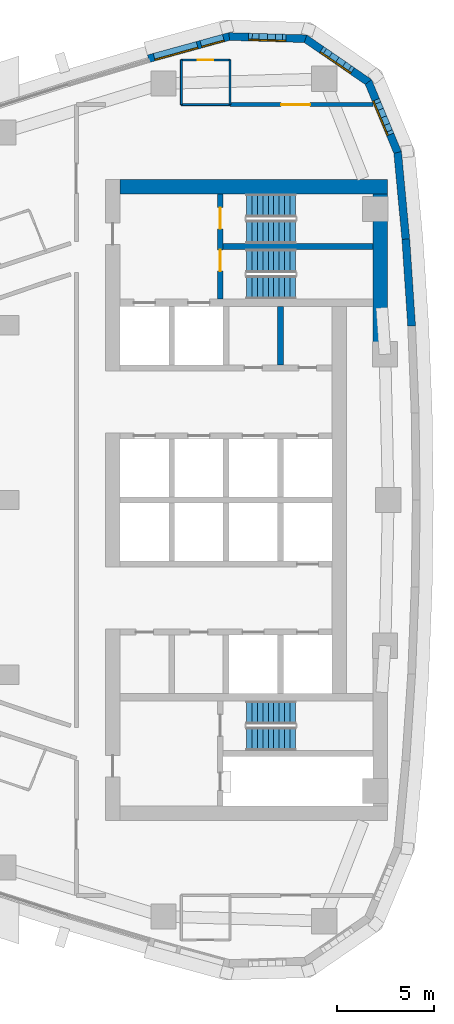
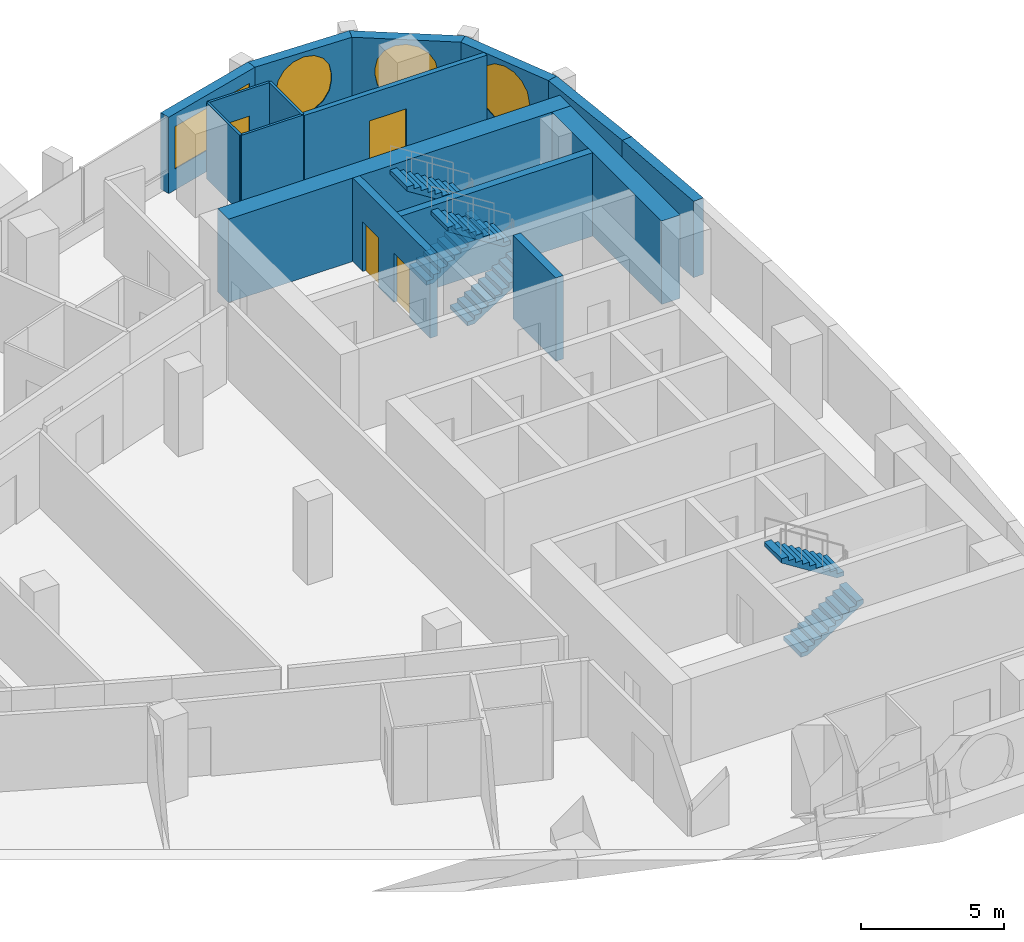
# One storey, part 12 of 16: 16 walls, 6 stair flights, 5 windows, 4 doors, 9 openings, 3 elements without a shape of their own.
"""IFC4 building model written with IfcOpenShell, lengths in metres."""

from ifc_helpers import new_model, si_unit, direction, frame, frame_2d, origin, place, context, subcontext, project, spatial, polyline, rectangle, outline, extrude, material, layer, layer_set, type_object, element, fill, aggregate, save


model = new_model("IFC4")

# Units and contexts
model_context = context("Model", 3, precision=1e-05, world=origin(), true_north=direction((0.0, 1.0)))
body_context = subcontext(model_context, "Body", "Model", "MODEL_VIEW")
ifc_project = project(units=[si_unit("LENGTHUNIT", "METRE"), si_unit("AREAUNIT", "SQUARE_METRE"), si_unit("VOLUMEUNIT", "CUBIC_METRE"), si_unit("PLANEANGLEUNIT", "RADIAN"), si_unit("MASSUNIT", "GRAM", prefix="KILO")], contexts=[model_context])

# Site, building, storey
site_placement = place(None, origin())
site = spatial("IfcSite", under=ifc_project, at=site_placement, CompositionType="ELEMENT")
building_placement = place(site_placement, origin())
building = spatial("IfcBuilding", under=site, at=building_placement, Name="Ostrand Prow Hotel Tower", CompositionType="ELEMENT")
storey_placement = place(building_placement, frame((0.0, 0.0, 186.14990234375)))
storey = spatial("IfcBuildingStorey", under=building, at=storey_placement, Name="L46", CompositionType="ELEMENT", Elevation=186.14990234375)

# Wall
ifc_material_1 = material(Name="Concrete C60/75", Category="concrete")
ifc_layer_1 = layer(ifc_material_1, 0.300048828125)
ifc_layer_set_1 = layer_set([ifc_layer_1], Name="Concrete C60/75")
wall_type_1 = type_object("IfcWallType", Name="Core wall 300 C60/75", PredefinedType="SHEAR", material=ifc_layer_set_1)
wall_1_placement = place(storey_placement, frame((58.949951171875, 6.949951171875, 0.0), z_axis=(0.0, 0.0, 1.0), x_axis=(0.0, 1.0, 0.0)))
element("IfcWall", 1, at=wall_1_placement, inside=storey, type_object=wall_type_1, Name="Core wall PW-R3-NA", PredefinedType="SHEAR", context=body_context, shape_type="SweptSolid", body=[
    extrude(rectangle(XDim=3.0, YDim=0.300048828125, at=frame_2d((1.5, 0.0))), origin(), (0.0, 0.0, 1.0), 3.550048828125),
])

# Wall, openings, doors
wall_2_placement = place(storey_placement, frame((55.85009765625, 10.35009765625, 0.0), z_axis=(0.0, 0.0, 1.0), x_axis=(0.0, 1.0, 0.0)))
wall_2 = element("IfcWall", 2, at=wall_2_placement, inside=storey, type_object=wall_type_1, Name="Core wall PW-VN", PredefinedType="SHEAR", context=body_context, shape_type="SweptSolid", body=[
    extrude(rectangle(XDim=5.39990234375, YDim=0.300048828125, at=frame_2d((2.699951171875, 0.0))), origin(), (0.0, 0.0, 1.0), 3.550048828125),
])
opening_1_placement = place(wall_2_placement, frame((1.429931640625, 0.0, 0.0)))
opening_1 = element("IfcOpeningElement", 3, at=opening_1_placement, cuts=wall_2, Name="Opening FD1", PredefinedType="OPENING", context=body_context, shape_type="SweptSolid", body=[
    extrude(rectangle(XDim=1.10009765625, YDim=2.10009765625, at=frame_2d((0.550048828125, 1.050048828125))), frame((0.0, 0.159912109375, 0.0), z_axis=(0.0, -1.0, 0.0), x_axis=(1.0, 0.0, 0.0)), (0.0, 0.0, 1.0), 0.320068359375),
])
opening_2_placement = place(wall_2_placement, frame((3.60009765625, 0.0, 0.0)))
opening_2 = element("IfcOpeningElement", 4, at=opening_2_placement, cuts=wall_2, Name="Opening FD1", PredefinedType="OPENING", context=body_context, shape_type="SweptSolid", body=[
    extrude(rectangle(XDim=1.10009765625, YDim=2.10009765625, at=frame_2d((0.550048828125, 1.050048828125))), frame((0.0, 0.159912109375, 0.0), z_axis=(0.0, -1.0, 0.0), x_axis=(1.0, 0.0, 0.0)), (0.0, 0.0, 1.0), 0.320068359375),
])
ifc_material_2 = material(Name="Steel fire door", Category="steel")
door_type_1 = type_object("IfcDoorType", Name="Fire door 1100 EI120", OperationType="SINGLE_SWING_RIGHT", PredefinedType="DOOR", material=ifc_material_2)
door_1_placement = place(opening_1_placement, origin())
door_1 = element("IfcDoor", 5, at=door_1_placement, inside=storey, type_object=door_type_1, Name="FIRE DOOR", OperationType="SINGLE_SWING_RIGHT", OverallHeight=2.10009765625, OverallWidth=1.10009765625, PredefinedType="DOOR", context=body_context, shape_type="SweptSolid", body=[
    extrude(rectangle(XDim=1.10009765625, YDim=2.10009765625, at=frame_2d((0.550048828125, 1.050048828125))), frame((0.0, 0.02490234375, 0.0), z_axis=(0.0, -1.0, 0.0), x_axis=(1.0, 0.0, 0.0)), (0.0, 0.0, 1.0), 0.050048828125),
])
fill(opening_1, door_1)
door_2_placement = place(opening_2_placement, origin())
door_2 = element("IfcDoor", 6, at=door_2_placement, inside=storey, type_object=door_type_1, Name="FIRE DOOR", OperationType="SINGLE_SWING_RIGHT", OverallHeight=2.10009765625, OverallWidth=1.10009765625, PredefinedType="DOOR", context=body_context, shape_type="SweptSolid", body=[
    extrude(rectangle(XDim=1.10009765625, YDim=2.10009765625, at=frame_2d((0.550048828125, 1.050048828125))), frame((0.0, 0.02490234375, 0.0), z_axis=(0.0, -1.0, 0.0), x_axis=(1.0, 0.0, 0.0)), (0.0, 0.0, 1.0), 0.050048828125),
])
fill(opening_2, door_2)

# Walls
wall_3_placement = place(storey_placement, frame((56.0, 13.050048828125, 0.0), z_axis=(0.0, 0.0, 1.0), x_axis=(1.0, 0.0, 0.0)))
element("IfcWall", 7, at=wall_3_placement, inside=storey, type_object=wall_type_1, Name="Core wall PW-ST13", PredefinedType="SHEAR", context=body_context, shape_type="SweptSolid", body=[
    extrude(rectangle(XDim=7.719970703125, YDim=0.300048828125, at=frame_2d((3.85986328125, 0.0))), origin(), (0.0, 0.0, 1.0), 3.550048828125),
])
ifc_material_3 = material(Name="Concrete C60/75", Category="concrete")
ifc_layer_2 = layer(ifc_material_3, 0.75)
ifc_layer_set_2 = layer_set([ifc_layer_2], Name="Concrete C60/75")
wall_type_2 = type_object("IfcWallType", Name="Core wall 750 C60/75", PredefinedType="SHEAR", material=ifc_layer_set_2)
wall_4_placement = place(storey_placement, frame((50.699951171875, 16.125, 0.0), z_axis=(0.0, 0.0, 1.0), x_axis=(1.0, 0.0, 0.0)))
element("IfcWall", 8, at=wall_4_placement, inside=storey, type_object=wall_type_2, Name="Core wall CW-N", PredefinedType="SHEAR", context=body_context, shape_type="SweptSolid", body=[
    extrude(rectangle(XDim=13.77001953125, YDim=0.75, at=frame_2d((6.885009765625, 0.0))), origin(), (0.0, 0.0, 1.0), 3.550048828125),
])
wall_5_placement = place(storey_placement, frame((64.094970703125, 8.09912109375, 0.0), z_axis=(0.0, 0.0, 1.0), x_axis=(0.0, 1.0, 0.0)))
element("IfcWall", 9, at=wall_5_placement, inside=storey, type_object=wall_type_2, Name="Core wall CW-E-N", PredefinedType="SHEAR", context=body_context, shape_type="SweptSolid", body=[
    extrude(rectangle(XDim=7.65087890625, YDim=0.75, at=frame_2d((3.825439453125, 0.0))), origin(), (0.0, 0.0, 1.0), 3.550048828125),
])

# Wall, opening, door
ifc_material_4 = material(Name="Plasterboard partition")
ifc_layer_3 = layer(ifc_material_4, 0.10009765625)
ifc_layer_set_3 = layer_set([ifc_layer_3], Name="Plasterboard partition")
wall_type_3 = type_object("IfcWallType", Name="Partition 100 bathroom wall", PredefinedType="PARTITIONING", material=ifc_layer_set_3)
wall_6_placement = place(storey_placement, frame((53.85009765625, 22.64990234375, 0.0), z_axis=(0.0, 0.0, 1.0), x_axis=(1.0, 0.0, 0.0)))
wall_6 = element("IfcWall", 10, at=wall_6_placement, inside=storey, type_object=wall_type_3, Name="BATHROOM WALL", PredefinedType="PARTITIONING", context=body_context, shape_type="SweptSolid", body=[
    extrude(rectangle(XDim=2.5, YDim=0.10009765625, at=frame_2d((1.25, 0.0))), origin(), (0.0, 0.0, 1.0), 3.25),
])
opening_3_placement = place(wall_6_placement, frame((0.85009765625, 0.0, 0.0)))
opening_3 = element("IfcOpeningElement", 11, at=opening_3_placement, cuts=wall_6, Name="Opening D2", PredefinedType="OPENING", context=body_context, shape_type="SweptSolid", body=[
    extrude(rectangle(XDim=0.800048828125, YDim=2.10009765625, at=frame_2d((0.39990234375, 1.050048828125))), frame((0.0, 0.06005859375, 0.0), z_axis=(0.0, -1.0, 0.0), x_axis=(1.0, 0.0, 0.0)), (0.0, 0.0, 1.0), 0.1201171875),
])
ifc_material_5 = material(Name="Timber door leaf", Category="wood")
door_type_2 = type_object("IfcDoorType", Name="Bathroom door 800", OperationType="SINGLE_SWING_LEFT", PredefinedType="DOOR", material=ifc_material_5)
door_3_placement = place(opening_3_placement, origin())
door_3 = element("IfcDoor", 12, at=door_3_placement, inside=storey, type_object=door_type_2, Name="DOOR", OperationType="SINGLE_SWING_LEFT", OverallHeight=2.10009765625, OverallWidth=0.800048828125, PredefinedType="DOOR", context=body_context, shape_type="SweptSolid", body=[
    extrude(rectangle(XDim=0.800048828125, YDim=2.10009765625, at=frame_2d((0.39990234375, 1.050048828125))), frame((0.0, 0.02490234375, 0.0), z_axis=(0.0, -1.0, 0.0), x_axis=(1.0, 0.0, 0.0)), (0.0, 0.0, 1.0), 0.050048828125),
])
fill(opening_3, door_3)

# Walls
for number, where, z_axis, x_axis, name in (
    (13, (56.35009765625, 22.64990234375, 0.0), (0.0, 0.0, 1.0), (0.0, -1.0, 0.0), "BATHROOM WALL"),
    (14, (53.85009765625, 20.35009765625, 0.0), (0.0, 0.0, 1.0), (0.0, 1.0, 0.0), "BATHROOM WALL"),
):
    element("IfcWall", number, at=place(storey_placement, frame(where, z_axis=z_axis, x_axis=x_axis)), inside=storey, type_object=wall_type_3, Name=name, PredefinedType="PARTITIONING", context=body_context, shape_type="SweptSolid", body=[
        extrude(rectangle(XDim=2.2998046875, YDim=0.10009765625, at=frame_2d((1.14990234375, 0.0))), origin(), (0.0, 0.0, 1.0), 3.25),
    ])
wall_7_placement = place(storey_placement, frame((56.35009765625, 20.35498046875, 0.0), z_axis=(0.0, 0.0, 1.0), x_axis=(-1.0, 0.0, 0.0)))
element("IfcWall", 15, at=wall_7_placement, inside=storey, type_object=wall_type_3, Name="BATHROOM WALL", PredefinedType="PARTITIONING", context=body_context, shape_type="SweptSolid", body=[
    extrude(rectangle(XDim=2.5, YDim=0.10009765625, at=frame_2d((1.25, 0.0))), origin(), (0.0, 0.0, 1.0), 3.25),
])

# Wall, opening, door
ifc_material_6 = material(Name="Plasterboard partition")
ifc_layer_4 = layer(ifc_material_6, 0.199951171875)
ifc_layer_set_4 = layer_set([ifc_layer_4], Name="Plasterboard partition")
wall_type_4 = type_object("IfcWallType", Name="Partition 200 corridor wall", PredefinedType="PARTITIONING", material=ifc_layer_set_4)
wall_8_placement = place(storey_placement, frame((63.70947265625, 20.35498046875, 0.0), z_axis=(0.0, 0.0, 1.0), x_axis=(-1.0, 0.0, 0.0)))
wall_8 = element("IfcWall", 16, at=wall_8_placement, inside=storey, type_object=wall_type_4, Name="CORRIDOR WALL", PredefinedType="PARTITIONING", context=body_context, shape_type="SweptSolid", body=[
    extrude(rectangle(XDim=7.3544921875, YDim=0.199951171875, at=frame_2d((3.67724609375, 0.0))), origin(), (0.0, 0.0, 1.0), 3.25),
])
opening_4_placement = place(wall_8_placement, frame((3.230712890625, 0.0, 0.0)))
opening_4 = element("IfcOpeningElement", 17, at=opening_4_placement, cuts=wall_8, Name="Opening D15", PredefinedType="OPENING", context=body_context, shape_type="SweptSolid", body=[
    extrude(rectangle(XDim=1.5, YDim=2.10009765625, at=frame_2d((0.75, 1.050048828125))), frame((0.0, 0.10986328125, 0.0), z_axis=(0.0, -1.0, 0.0), x_axis=(1.0, 0.0, 0.0)), (0.0, 0.0, 1.0), 0.219970703125),
])
ifc_material_7 = material(Name="Timber door leaf", Category="wood")
door_type_3 = type_object("IfcDoorType", Name="Double door 1500", OperationType="DOUBLE_DOOR_SINGLE_SWING", PredefinedType="DOOR", material=ifc_material_7)
door_4_placement = place(opening_4_placement, origin())
door_4 = element("IfcDoor", 18, at=door_4_placement, inside=storey, type_object=door_type_3, Name="DOOR", OperationType="DOUBLE_DOOR_SINGLE_SWING", OverallHeight=2.10009765625, OverallWidth=1.5, PredefinedType="DOOR", context=body_context, shape_type="SweptSolid", body=[
    extrude(rectangle(XDim=1.5, YDim=2.10009765625, at=frame_2d((0.75, 1.050048828125))), frame((0.0, 0.02490234375, 0.0), z_axis=(0.0, -1.0, 0.0), x_axis=(1.0, 0.0, 0.0)), (0.0, 0.0, 1.0), 0.050048828125),
])
fill(opening_4, door_4)

# Walls
ifc_material_8 = material(Name="Precast concrete C40/50", Category="concrete")
ifc_layer_5 = layer(ifc_material_8, 0.39990234375)
ifc_layer_set_5 = layer_set([ifc_layer_5], Name="Precast concrete C40/50")
wall_type_5 = type_object("IfcWallType", Name="Stone-faced precast wall 400 mm", PredefinedType="NOTDEFINED", material=ifc_layer_set_5)
wall_9_placement = place(storey_placement, frame((65.700439453125, 8.957763671875, 0.0), z_axis=(0.0, 0.0, 1.0), x_axis=(-0.066905935948, 0.997759287471, 0.0)))
element("IfcWall", 19, at=wall_9_placement, inside=storey, type_object=wall_type_5, Name="Stone-faced wall back 11", PredefinedType="NOTDEFINED", context=body_context, shape_type="SweptSolid", body=[
    extrude(outline(polyline([(-0.002685546875, -0.199951171875), (4.483642578125, -0.199951171875), (4.478271484375, 0.199951171875), (0.002685546875, 0.199951171875), (-0.002685546875, -0.199951171875)])), origin(), (0.0, 0.0, 1.0), 3.25),
])
wall_10_placement = place(storey_placement, frame((65.400634765625, 13.4287109375, 0.0), z_axis=(0.0, 0.0, 1.0), x_axis=(-0.093605694738, 0.995609348044, 0.0)))
element("IfcWall", 20, at=wall_10_placement, inside=storey, type_object=wall_type_5, Name="Stone-faced wall back 12", PredefinedType="NOTDEFINED", context=body_context, shape_type="SweptSolid", body=[
    extrude(outline(polyline([(-0.002685546875, -0.199951171875), (4.51123046875, -0.199951171875), (4.45068359375, 0.199951171875), (0.002685546875, 0.199951171875), (-0.002685546875, -0.199951171875)])), origin(), (0.0, 0.0, 1.0), 3.25),
])

# Wall, opening, window
wall_11_placement = place(storey_placement, frame((64.981201171875, 17.889892578125, 0.0), z_axis=(0.0, 0.0, 1.0), x_axis=(-0.383997619794, 0.923334082547, 0.0)))
wall_11 = element("IfcWall", 21, at=wall_11_placement, inside=storey, type_object=wall_type_5, Name="Stone-faced wall back 13", PredefinedType="NOTDEFINED", context=body_context, shape_type="SweptSolid", body=[
    extrude(outline(polyline([(-0.0302734375, -0.199951171875), (3.98828125, -0.199951171875), (3.8701171875, 0.199951171875), (0.0302734375, 0.199951171875), (-0.0302734375, -0.199951171875)])), origin(), (0.0, 0.0, 1.0), 3.25),
])
opening_5_placement = place(wall_11_placement, frame((0.864501953125, 0.0, 0.60009765625)))
opening_5 = element("IfcOpeningElement", 22, at=opening_5_placement, cuts=wall_11, Name="Opening WP1", PredefinedType="OPENING", context=body_context, shape_type="SweptSolid", body=[
    extrude(outline(polyline([(0.0, 1.35009765625), (0.083740234375, 1.77099609375), (0.322265625, 2.127685546875), (0.678955078125, 2.3662109375), (1.10009765625, 2.449951171875), (1.52099609375, 2.3662109375), (1.877685546875, 2.127685546875), (2.1162109375, 1.77099609375), (2.199951171875, 1.35009765625), (2.199951171875, 1.10009765625), (2.1162109375, 0.678955078125), (1.877685546875, 0.322265625), (1.52099609375, 0.083740234375), (1.10009765625, 0.0), (0.678955078125, 0.083740234375), (0.322265625, 0.322265625), (0.083740234375, 0.678955078125), (0.0, 1.099853515625), (0.0, 1.35009765625)])), frame((0.0, 0.2099609375, 0.0), z_axis=(0.0, -1.0, 0.0), x_axis=(1.0, 0.0, 0.0)), (0.0, 0.0, 1.0), 0.419921875),
])
ifc_material_9 = material(Name="Insulated glass in bronze frame", Category="glass")
window_type_1 = type_object("IfcWindowType", Name="Round-ended prow window 2200x2450", PartitioningType="SINGLE_PANEL", PredefinedType="WINDOW", material=ifc_material_9)
window_1_placement = place(opening_5_placement, origin())
window_1 = element("IfcWindow", 23, at=window_1_placement, inside=storey, type_object=window_type_1, Name="Window back 13.1", OverallHeight=2.449951171875, OverallWidth=2.199951171875, PartitioningType="SINGLE_PANEL", PredefinedType="WINDOW", context=body_context, shape_type="SweptSolid", body=[
    extrude(outline(polyline([(0.0, 1.35009765625), (0.083740234375, 1.77099609375), (0.322265625, 2.127685546875), (0.678955078125, 2.3662109375), (1.10009765625, 2.449951171875), (1.52099609375, 2.3662109375), (1.877685546875, 2.127685546875), (2.1162109375, 1.77099609375), (2.199951171875, 1.35009765625), (2.199951171875, 1.10009765625), (2.1162109375, 0.678955078125), (1.877685546875, 0.322265625), (1.52099609375, 0.083740234375), (1.10009765625, 0.0), (0.678955078125, 0.083740234375), (0.322265625, 0.322265625), (0.083740234375, 0.678955078125), (0.0, 1.099853515625), (0.0, 1.35009765625)])), frame((0.0, 0.169921875, 0.0), z_axis=(0.0, -1.0, 0.0), x_axis=(1.0, 0.0, 0.0)), (0.0, 0.0, 1.0), 0.06005859375),
])
fill(opening_5, window_1)

wall_12_placement = place(storey_placement, frame((63.472412109375, 21.517822265625, 0.0), z_axis=(0.0, 0.0, 1.0), x_axis=(-0.823806162588, 0.566871596115, 0.0)))
wall_12 = element("IfcWall", 24, at=wall_12_placement, inside=storey, type_object=wall_type_5, Name="Stone-faced wall back 14", PredefinedType="NOTDEFINED", context=body_context, shape_type="SweptSolid", body=[
    extrude(outline(polyline([(-0.05908203125, -0.199951171875), (3.98828125, -0.199951171875), (3.8701171875, 0.199951171875), (0.05908203125, 0.199951171875), (-0.05908203125, -0.199951171875)])), origin(), (0.0, 0.0, 1.0), 3.25),
])
opening_6_placement = place(wall_12_placement, frame((0.864501953125, 0.0, 0.60009765625)))
opening_6 = element("IfcOpeningElement", 25, at=opening_6_placement, cuts=wall_12, Name="Opening WP1", PredefinedType="OPENING", context=body_context, shape_type="SweptSolid", body=[
    extrude(outline(polyline([(0.0, 1.35009765625), (0.083740234375, 1.77099609375), (0.322265625, 2.127685546875), (0.678955078125, 2.3662109375), (1.10009765625, 2.449951171875), (1.52099609375, 2.3662109375), (1.877685546875, 2.127685546875), (2.1162109375, 1.77099609375), (2.199951171875, 1.35009765625), (2.199951171875, 1.10009765625), (2.1162109375, 0.678955078125), (1.877685546875, 0.322265625), (1.52099609375, 0.083740234375), (1.10009765625, 0.0), (0.678955078125, 0.083740234375), (0.322265625, 0.322265625), (0.083740234375, 0.678955078125), (0.0, 1.099853515625), (0.0, 1.35009765625)])), frame((0.0, 0.2099609375, 0.0), z_axis=(0.0, -1.0, 0.0), x_axis=(1.0, 0.0, 0.0)), (0.0, 0.0, 1.0), 0.419921875),
])
window_2_placement = place(opening_6_placement, origin())
window_2 = element("IfcWindow", 26, at=window_2_placement, inside=storey, type_object=window_type_1, Name="Window back 14.1", OverallHeight=2.449951171875, OverallWidth=2.199951171875, PartitioningType="SINGLE_PANEL", PredefinedType="WINDOW", context=body_context, shape_type="SweptSolid", body=[
    extrude(outline(polyline([(0.0, 1.35009765625), (0.083740234375, 1.77099609375), (0.322265625, 2.127685546875), (0.678955078125, 2.3662109375), (1.10009765625, 2.449951171875), (1.52099609375, 2.3662109375), (1.877685546875, 2.127685546875), (2.1162109375, 1.77099609375), (2.199951171875, 1.35009765625), (2.199951171875, 1.10009765625), (2.1162109375, 0.678955078125), (1.877685546875, 0.322265625), (1.52099609375, 0.083740234375), (1.10009765625, 0.0), (0.678955078125, 0.083740234375), (0.322265625, 0.322265625), (0.083740234375, 0.678955078125), (0.0, 1.099853515625), (0.0, 1.35009765625)])), frame((0.0, 0.169921875, 0.0), z_axis=(0.0, -1.0, 0.0), x_axis=(1.0, 0.0, 0.0)), (0.0, 0.0, 1.0), 0.06005859375),
])
fill(opening_6, window_2)

wall_13_placement = place(storey_placement, frame((60.235595703125, 23.7451171875, 0.0), z_axis=(0.0, 0.0, 1.0), x_axis=(-0.999587920197, 0.028705222472, 0.0)))
wall_13 = element("IfcWall", 27, at=wall_13_placement, inside=storey, type_object=wall_type_5, Name="Stone-faced wall back 15", PredefinedType="NOTDEFINED", context=body_context, shape_type="SweptSolid", body=[
    extrude(outline(polyline([(-0.05908203125, -0.199951171875), (3.959228515625, -0.199951171875), (3.899658203125, 0.199951171875), (0.05908203125, 0.199951171875), (-0.05908203125, -0.199951171875)])), origin(), (0.0, 0.0, 1.0), 3.25),
])
opening_7_placement = place(wall_13_placement, frame((0.864501953125, 0.0, 0.60009765625)))
opening_7 = element("IfcOpeningElement", 28, at=opening_7_placement, cuts=wall_13, Name="Opening WP1", PredefinedType="OPENING", context=body_context, shape_type="SweptSolid", body=[
    extrude(outline(polyline([(0.0, 1.35009765625), (0.083740234375, 1.77099609375), (0.322265625, 2.127685546875), (0.678955078125, 2.3662109375), (1.10009765625, 2.449951171875), (1.52099609375, 2.3662109375), (1.877685546875, 2.127685546875), (2.1162109375, 1.77099609375), (2.199951171875, 1.35009765625), (2.199951171875, 1.10009765625), (2.1162109375, 0.678955078125), (1.877685546875, 0.322265625), (1.52099609375, 0.083740234375), (1.10009765625, 0.0), (0.678955078125, 0.083740234375), (0.322265625, 0.322265625), (0.083740234375, 0.678955078125), (0.0, 1.099853515625), (0.0, 1.35009765625)])), frame((0.0, 0.2099609375, 0.0), z_axis=(0.0, -1.0, 0.0), x_axis=(1.0, 0.0, 0.0)), (0.0, 0.0, 1.0), 0.419921875),
])
window_3_placement = place(opening_7_placement, origin())
window_3 = element("IfcWindow", 29, at=window_3_placement, inside=storey, type_object=window_type_1, Name="Window back 15.1", OverallHeight=2.449951171875, OverallWidth=2.199951171875, PartitioningType="SINGLE_PANEL", PredefinedType="WINDOW", context=body_context, shape_type="SweptSolid", body=[
    extrude(outline(polyline([(0.0, 1.35009765625), (0.083740234375, 1.77099609375), (0.322265625, 2.127685546875), (0.678955078125, 2.3662109375), (1.10009765625, 2.449951171875), (1.52099609375, 2.3662109375), (1.877685546875, 2.127685546875), (2.1162109375, 1.77099609375), (2.199951171875, 1.35009765625), (2.199951171875, 1.10009765625), (2.1162109375, 0.678955078125), (1.877685546875, 0.322265625), (1.52099609375, 0.083740234375), (1.10009765625, 0.0), (0.678955078125, 0.083740234375), (0.322265625, 0.322265625), (0.083740234375, 0.678955078125), (0.0, 1.099853515625), (0.0, 1.35009765625)])), frame((0.0, 0.169921875, 0.0), z_axis=(0.0, -1.0, 0.0), x_axis=(1.0, 0.0, 0.0)), (0.0, 0.0, 1.0), 0.06005859375),
])
fill(opening_7, window_3)

# Wall, openings, windows
wall_14_placement = place(storey_placement, frame((56.307861328125, 23.85791015625, 0.0), z_axis=(0.0, 0.0, 1.0), x_axis=(-0.964205755089, -0.265155165617, 0.0)))
wall_14 = element("IfcWall", 30, at=wall_14_placement, inside=storey, type_object=wall_type_5, Name="Stone-faced wall back 16", PredefinedType="NOTDEFINED", context=body_context, shape_type="SweptSolid", body=[
    extrude(outline(polyline([(-0.02978515625, -0.199951171875), (4.30712890625, -0.199951171875), (4.30712890625, 0.199951171875), (0.02978515625, 0.199951171875), (-0.02978515625, -0.199951171875)])), origin(), (0.0, 0.0, 1.0), 3.25),
])
opening_8_placement = place(wall_14_placement, frame((0.303466796875, 0.0, 0.89990234375)))
opening_8 = element("IfcOpeningElement", 31, at=opening_8_placement, cuts=wall_14, Name="Opening WS4", PredefinedType="OPENING", context=body_context, shape_type="SweptSolid", body=[
    extrude(rectangle(XDim=1.199951171875, YDim=1.800048828125, at=frame_2d((0.60009765625, 0.89990234375))), frame((0.0, 0.2099609375, 0.0), z_axis=(0.0, -1.0, 0.0), x_axis=(1.0, 0.0, 0.0)), (0.0, 0.0, 1.0), 0.419921875),
])
opening_9_placement = place(wall_14_placement, frame((1.70361328125, 0.0, 0.89990234375)))
opening_9 = element("IfcOpeningElement", 32, at=opening_9_placement, cuts=wall_14, Name="Opening WS5-23", PredefinedType="OPENING", context=body_context, shape_type="SweptSolid", body=[
    extrude(rectangle(XDim=2.300048828125, YDim=1.800048828125, at=frame_2d((1.14990234375, 0.89990234375))), frame((0.0, 0.2099609375, 0.0), z_axis=(0.0, -1.0, 0.0), x_axis=(1.0, 0.0, 0.0)), (0.0, 0.0, 1.0), 0.419921875),
])
ifc_material_10 = material(Name="Insulated glass in bronze frame", Category="glass")
window_type_2 = type_object("IfcWindowType", Name="Fixed strip window 2300x1800", PartitioningType="SINGLE_PANEL", PredefinedType="WINDOW", material=ifc_material_10)
window_4_placement = place(opening_9_placement, origin())
window_4 = element("IfcWindow", 33, at=window_4_placement, inside=storey, type_object=window_type_2, Name="Window back 16.2", OverallHeight=1.800048828125, OverallWidth=2.300048828125, PartitioningType="SINGLE_PANEL", PredefinedType="WINDOW", context=body_context, shape_type="SweptSolid", body=[
    extrude(rectangle(XDim=2.300048828125, YDim=1.800048828125, at=frame_2d((1.14990234375, 0.89990234375))), frame((0.0, 0.169921875, 0.0), z_axis=(0.0, -1.0, 0.0), x_axis=(1.0, 0.0, 0.0)), (0.0, 0.0, 1.0), 0.06005859375),
])
fill(opening_9, window_4)
ifc_material_11 = material(Name="Insulated glass in bronze frame", Category="glass")
window_type_3 = type_object("IfcWindowType", Name="Operable strip panel 1200x1800", PartitioningType="SINGLE_PANEL", PredefinedType="WINDOW", material=ifc_material_11)
window_5_placement = place(opening_8_placement, origin())
window_5 = element("IfcWindow", 34, at=window_5_placement, inside=storey, type_object=window_type_3, Name="Window back 16.1", OverallHeight=1.800048828125, OverallWidth=1.199951171875, PartitioningType="SINGLE_PANEL", PredefinedType="WINDOW", context=body_context, shape_type="SweptSolid", body=[
    extrude(rectangle(XDim=1.199951171875, YDim=1.800048828125, at=frame_2d((0.60009765625, 0.89990234375))), frame((0.0, 0.169921875, 0.0), z_axis=(0.0, -1.0, 0.0), x_axis=(1.0, 0.0, 0.0)), (0.0, 0.0, 1.0), 0.06005859375),
])
fill(opening_8, window_5)

# Stair, stair flights
ifc_material_12 = material(Name="Concrete C40/50", Category="concrete")
stair_type = type_object("IfcStairType", Name="Exit stair 1200 upper zone", PredefinedType="HALF_TURN_STAIR", material=ifc_material_12)
stair_1_placement = place(storey_placement, origin())
stair_1 = element("IfcStair", 35, at=stair_1_placement, inside=storey, type_object=stair_type, Name="L46 ST1C", PredefinedType="HALF_TURN_STAIR")
ifc_material_13 = material(Name="Concrete C40/50", Category="concrete")
stair_flight_type = type_object("IfcStairFlightType", Name="Stair flight 1200 concrete", PredefinedType="STRAIGHT", material=ifc_material_13)
stair_flight_1_placement = place(storey_placement, frame((57.199951171875, 10.949951171875, 0.0), z_axis=(0.0, 0.0, 1.0), x_axis=(1.0, 0.0, 0.0)))
stair_flight_1 = element("IfcStairFlight", 36, at=stair_flight_1_placement, type_object=stair_flight_type, Name="ST1C flight 1", NumberOfRisers=10, NumberOfTreads=9, PredefinedType="STRAIGHT", RiserHeight=0.1775, TreadLength=0.28, context=body_context, shape_type="SweptSolid", body=[
    extrude(outline(polyline([(0.0, 0.0), (0.0, 0.177490234375), (0.280029296875, 0.177490234375), (0.280029296875, 0.35498046875), (0.56005859375, 0.35498046875), (0.56005859375, 0.532470703125), (0.840087890625, 0.532470703125), (0.840087890625, 0.7099609375), (1.1201171875, 0.7099609375), (1.1201171875, 0.887451171875), (1.39990234375, 0.887451171875), (1.39990234375, 1.06494140625), (1.679931640625, 1.06494140625), (1.679931640625, 1.242431640625), (1.9599609375, 1.242431640625), (1.9599609375, 1.419921875), (2.239990234375, 1.419921875), (2.239990234375, 1.597412109375), (2.52001953125, 1.597412109375), (2.52001953125, 1.77490234375), (2.52001953125, 1.419921875), (0.280029296875, 0.0), (0.0, 0.0)])), frame((0.0, 0.60009765625, 0.0), z_axis=(0.0, -1.0, 0.0), x_axis=(1.0, 0.0, 0.0)), (0.0, 0.0, 1.0), 1.199951171875),
])
stair_flight_2_placement = place(storey_placement, frame((59.719970703125, 12.300048828125, 1.775146484375), z_axis=(0.0, 0.0, 1.0), x_axis=(-1.0, 0.0, 0.0)))
stair_flight_2 = element("IfcStairFlight", 37, at=stair_flight_2_placement, type_object=stair_flight_type, Name="ST1C flight 2", NumberOfRisers=10, NumberOfTreads=9, PredefinedType="STRAIGHT", RiserHeight=0.1775, TreadLength=0.28, context=body_context, shape_type="SweptSolid", body=[
    extrude(outline(polyline([(0.0, 0.0), (0.0, 0.177490234375), (0.280029296875, 0.177490234375), (0.280029296875, 0.35498046875), (0.56005859375, 0.35498046875), (0.56005859375, 0.532470703125), (0.840087890625, 0.532470703125), (0.840087890625, 0.7099609375), (1.1201171875, 0.7099609375), (1.1201171875, 0.887451171875), (1.39990234375, 0.887451171875), (1.39990234375, 1.06494140625), (1.679931640625, 1.06494140625), (1.679931640625, 1.242431640625), (1.9599609375, 1.242431640625), (1.9599609375, 1.419921875), (2.239990234375, 1.419921875), (2.239990234375, 1.597412109375), (2.52001953125, 1.597412109375), (2.52001953125, 1.77490234375), (2.52001953125, 1.419921875), (0.280029296875, 0.0), (0.0, 0.0)])), frame((0.0, 0.60009765625, 0.0), z_axis=(0.0, -1.0, 0.0), x_axis=(1.0, 0.0, 0.0)), (0.0, 0.0, 1.0), 1.199951171875),
])
aggregate(stair_1, [stair_flight_1, stair_flight_2])

stair_2_placement = place(storey_placement, origin())
stair_2 = element("IfcStair", 38, at=stair_2_placement, inside=storey, type_object=stair_type, Name="L46 ST3C", PredefinedType="HALF_TURN_STAIR")
stair_flight_3_placement = place(storey_placement, frame((57.199951171875, 13.800048828125, 0.0), z_axis=(0.0, 0.0, 1.0), x_axis=(1.0, 0.0, 0.0)))
stair_flight_3 = element("IfcStairFlight", 39, at=stair_flight_3_placement, type_object=stair_flight_type, Name="ST3C flight 1", NumberOfRisers=10, NumberOfTreads=9, PredefinedType="STRAIGHT", RiserHeight=0.1775, TreadLength=0.28, context=body_context, shape_type="SweptSolid", body=[
    extrude(outline(polyline([(0.0, 0.0), (0.0, 0.177490234375), (0.280029296875, 0.177490234375), (0.280029296875, 0.35498046875), (0.56005859375, 0.35498046875), (0.56005859375, 0.532470703125), (0.840087890625, 0.532470703125), (0.840087890625, 0.7099609375), (1.1201171875, 0.7099609375), (1.1201171875, 0.887451171875), (1.39990234375, 0.887451171875), (1.39990234375, 1.06494140625), (1.679931640625, 1.06494140625), (1.679931640625, 1.242431640625), (1.9599609375, 1.242431640625), (1.9599609375, 1.419921875), (2.239990234375, 1.419921875), (2.239990234375, 1.597412109375), (2.52001953125, 1.597412109375), (2.52001953125, 1.77490234375), (2.52001953125, 1.419921875), (0.280029296875, 0.0), (0.0, 0.0)])), frame((0.0, 0.60009765625, 0.0), z_axis=(0.0, -1.0, 0.0), x_axis=(1.0, 0.0, 0.0)), (0.0, 0.0, 1.0), 1.199951171875),
])
stair_flight_4_placement = place(storey_placement, frame((59.719970703125, 15.14990234375, 1.775146484375), z_axis=(0.0, 0.0, 1.0), x_axis=(-1.0, 0.0, 0.0)))
stair_flight_4 = element("IfcStairFlight", 40, at=stair_flight_4_placement, type_object=stair_flight_type, Name="ST3C flight 2", NumberOfRisers=10, NumberOfTreads=9, PredefinedType="STRAIGHT", RiserHeight=0.1775, TreadLength=0.28, context=body_context, shape_type="SweptSolid", body=[
    extrude(outline(polyline([(0.0, 0.0), (0.0, 0.177490234375), (0.280029296875, 0.177490234375), (0.280029296875, 0.35498046875), (0.56005859375, 0.35498046875), (0.56005859375, 0.532470703125), (0.840087890625, 0.532470703125), (0.840087890625, 0.7099609375), (1.1201171875, 0.7099609375), (1.1201171875, 0.887451171875), (1.39990234375, 0.887451171875), (1.39990234375, 1.06494140625), (1.679931640625, 1.06494140625), (1.679931640625, 1.242431640625), (1.9599609375, 1.242431640625), (1.9599609375, 1.419921875), (2.239990234375, 1.419921875), (2.239990234375, 1.597412109375), (2.52001953125, 1.597412109375), (2.52001953125, 1.77490234375), (2.52001953125, 1.419921875), (0.280029296875, 0.0), (0.0, 0.0)])), frame((0.0, 0.60009765625, 0.0), z_axis=(0.0, -1.0, 0.0), x_axis=(1.0, 0.0, 0.0)), (0.0, 0.0, 1.0), 1.199951171875),
])
aggregate(stair_2, [stair_flight_3, stair_flight_4])

stair_3_placement = place(storey_placement, origin())
stair_3 = element("IfcStair", 41, at=stair_3_placement, inside=storey, type_object=stair_type, Name="L46 ST2C", PredefinedType="HALF_TURN_STAIR")
stair_flight_5_placement = place(storey_placement, frame((57.199951171875, -12.300048828125, 0.0), z_axis=(0.0, 0.0, 1.0), x_axis=(1.0, 0.0, 0.0)))
stair_flight_5 = element("IfcStairFlight", 42, at=stair_flight_5_placement, type_object=stair_flight_type, Name="ST2C flight 1", NumberOfRisers=10, NumberOfTreads=9, PredefinedType="STRAIGHT", RiserHeight=0.1775, TreadLength=0.28, context=body_context, shape_type="SweptSolid", body=[
    extrude(outline(polyline([(0.0, 0.0), (0.0, 0.177490234375), (0.280029296875, 0.177490234375), (0.280029296875, 0.35498046875), (0.56005859375, 0.35498046875), (0.56005859375, 0.532470703125), (0.840087890625, 0.532470703125), (0.840087890625, 0.7099609375), (1.1201171875, 0.7099609375), (1.1201171875, 0.887451171875), (1.39990234375, 0.887451171875), (1.39990234375, 1.06494140625), (1.679931640625, 1.06494140625), (1.679931640625, 1.242431640625), (1.9599609375, 1.242431640625), (1.9599609375, 1.419921875), (2.239990234375, 1.419921875), (2.239990234375, 1.597412109375), (2.52001953125, 1.597412109375), (2.52001953125, 1.77490234375), (2.52001953125, 1.419921875), (0.280029296875, 0.0), (0.0, 0.0)])), frame((0.0, 0.60009765625, 0.0), z_axis=(0.0, -1.0, 0.0), x_axis=(1.0, 0.0, 0.0)), (0.0, 0.0, 1.0), 1.199951171875),
])
stair_flight_6_placement = place(storey_placement, frame((59.719970703125, -10.949951171875, 1.775146484375), z_axis=(0.0, 0.0, 1.0), x_axis=(-1.0, 0.0, 0.0)))
stair_flight_6 = element("IfcStairFlight", 43, at=stair_flight_6_placement, type_object=stair_flight_type, Name="ST2C flight 2", NumberOfRisers=10, NumberOfTreads=9, PredefinedType="STRAIGHT", RiserHeight=0.1775, TreadLength=0.28, context=body_context, shape_type="SweptSolid", body=[
    extrude(outline(polyline([(0.0, 0.0), (0.0, 0.177490234375), (0.280029296875, 0.177490234375), (0.280029296875, 0.35498046875), (0.56005859375, 0.35498046875), (0.56005859375, 0.532470703125), (0.840087890625, 0.532470703125), (0.840087890625, 0.7099609375), (1.1201171875, 0.7099609375), (1.1201171875, 0.887451171875), (1.39990234375, 0.887451171875), (1.39990234375, 1.06494140625), (1.679931640625, 1.06494140625), (1.679931640625, 1.242431640625), (1.9599609375, 1.242431640625), (1.9599609375, 1.419921875), (2.239990234375, 1.419921875), (2.239990234375, 1.597412109375), (2.52001953125, 1.597412109375), (2.52001953125, 1.77490234375), (2.52001953125, 1.419921875), (0.280029296875, 0.0), (0.0, 0.0)])), frame((0.0, 0.60009765625, 0.0), z_axis=(0.0, -1.0, 0.0), x_axis=(1.0, 0.0, 0.0)), (0.0, 0.0, 1.0), 1.199951171875),
])
aggregate(stair_3, [stair_flight_5, stair_flight_6])

save(model, "model.ifc")
